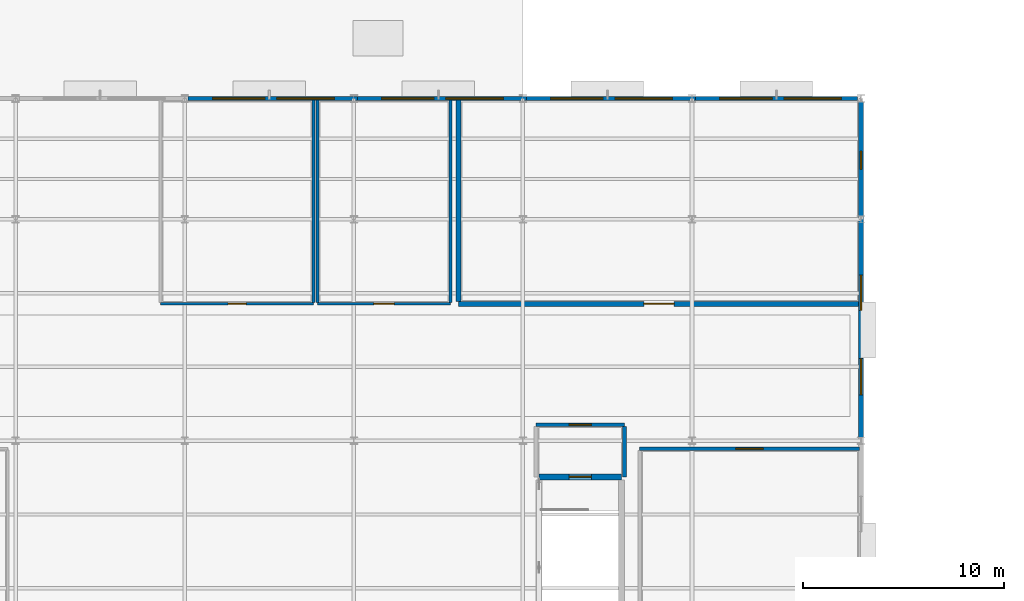
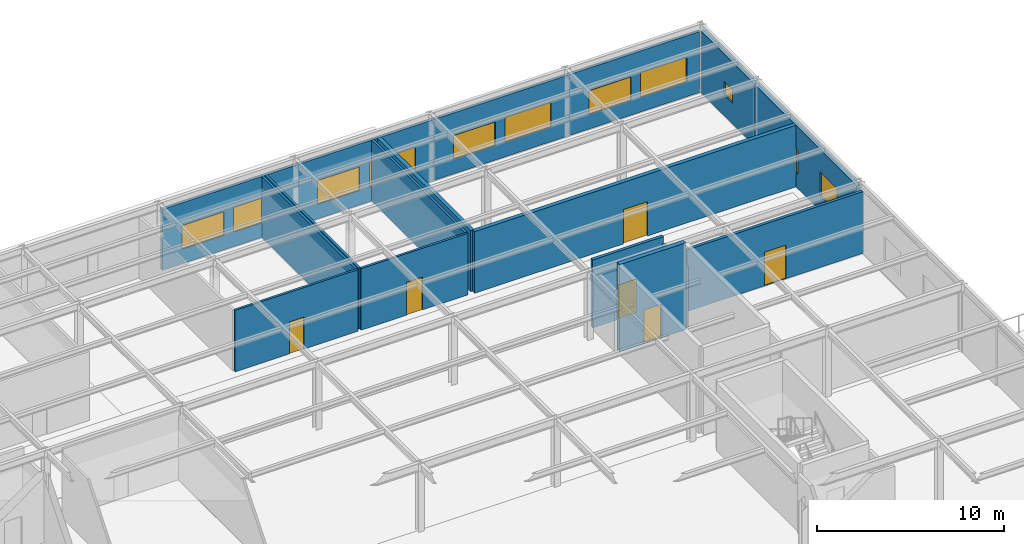
# One storey, part 68 of 82: 17 walls, 11 windows, 6 doors, 17 openings.
"""IFC4 building model written with IfcOpenShell, lengths in metres."""

from ifc_helpers import new_model, si_unit, direction, frame, frame_2d, origin, place, context, subcontext, project, spatial, rectangle, extrude, material, layer, layer_set, type_object, element, fill, save


model = new_model("IFC4")

# Units and contexts
model_context = context("Model", 3, precision=1e-05, world=origin(), true_north=direction((0.0, 1.0)))
body_context = subcontext(model_context, "Body", "Model", "MODEL_VIEW")
ifc_project = project(units=[si_unit("LENGTHUNIT", "METRE"), si_unit("AREAUNIT", "SQUARE_METRE"), si_unit("VOLUMEUNIT", "CUBIC_METRE"), si_unit("PLANEANGLEUNIT", "RADIAN"), si_unit("MASSUNIT", "GRAM", prefix="KILO")], contexts=[model_context])

# Site, building, storey
site_placement = place(None, origin())
site = spatial("IfcSite", under=ifc_project, at=site_placement, CompositionType="ELEMENT")
building_placement = place(site_placement, origin())
building = spatial("IfcBuilding", under=site, at=building_placement, Name="Sitalva Quay Ferry Terminal", CompositionType="ELEMENT")
storey_placement = place(building_placement, frame((0.0, 0.0, 5.39990234375)))
storey = spatial("IfcBuildingStorey", under=building, at=storey_placement, Name="L02", CompositionType="ELEMENT", Elevation=5.39990234375)

# Wall, opening, door
ifc_material_1 = material(Name="Concrete C40/50", Category="concrete")
ifc_layer_1 = layer(ifc_material_1, 0.280029296875)
ifc_layer_set_1 = layer_set([ifc_layer_1], Name="Concrete C40/50")
wall_type_1 = type_object("IfcWallType", Name="Wall_CoreShear_280", PredefinedType="SHEAR", material=ifc_layer_set_1)
wall_1_placement = place(storey_placement, frame((152.0, 87.199951171875, 0.0), z_axis=(0.0, 0.0, 1.0), x_axis=(1.0, 0.0, 0.0)))
wall_1 = element("IfcWall", 1, at=wall_1_placement, inside=storey, type_object=wall_type_1, Name="Core C10 L02 north shear wall", PredefinedType="SHEAR", context=body_context, shape_type="SweptSolid", body=[
    extrude(rectangle(XDim=4.10009765625, YDim=0.280029296875, at=frame_2d((2.050048828125, 0.0))), origin(), (0.0, 0.0, 1.0), 5.7001953125),
])
opening_1_placement = place(wall_1_placement, frame((1.5, 0.0, 0.0)))
opening_1 = element("IfcOpeningElement", 2, at=opening_1_placement, cuts=wall_1, Name="Opening D-L02-038", PredefinedType="OPENING", context=body_context, shape_type="SweptSolid", body=[
    extrude(rectangle(XDim=1.10009765625, YDim=2.199951171875, at=frame_2d((0.550048828125, 1.10009765625))), frame((0.0, 0.14990234375, 0.0), z_axis=(0.0, -1.0, 0.0), x_axis=(1.0, 0.0, 0.0)), (0.0, 0.0, 1.0), 0.300048828125),
])
ifc_material_2 = material(Name="Galvanised Steel Fire Door", Category="steel")
door_type_1 = type_object("IfcDoorType", Name="Door_CoreExit_1100x2200", OperationType="SINGLE_SWING_LEFT", PredefinedType="DOOR", material=ifc_material_2)
door_1_placement = place(opening_1_placement, origin())
door_1 = element("IfcDoor", 3, at=door_1_placement, inside=storey, type_object=door_type_1, Name="DOOR-D-L02-038 Protected stair ST-10 door D-L02-038", OperationType="SINGLE_SWING_RIGHT", OverallHeight=2.199951171875, OverallWidth=1.10009765625, PredefinedType="DOOR", context=body_context, shape_type="SweptSolid", body=[
    extrude(rectangle(XDim=1.10009765625, YDim=2.199951171875, at=frame_2d((0.550048828125, 1.10009765625))), frame((0.0, 0.02490234375, 0.0), z_axis=(0.0, -1.0, 0.0), x_axis=(1.0, 0.0, 0.0)), (0.0, 0.0, 1.0), 0.050048828125),
])
fill(opening_1, door_1)

# Wall, openings, windows
ifc_material_3 = material(Name="Insulated Precast Concrete C40/50", Category="concrete")
ifc_layer_2 = layer(ifc_material_3, 0.239990234375)
ifc_layer_set_2 = layer_set([ifc_layer_2], Name="Insulated Precast Concrete C40/50")
wall_type_2 = type_object("IfcWallType", Name="Wall_ExtClad_240", PredefinedType="ELEMENTEDWALL", material=ifc_layer_set_2)
wall_2_placement = place(storey_placement, frame((168.0, 89.1630859375, 0.0), z_axis=(0.0, 0.0, 1.0), x_axis=(0.0, 1.0, 0.0)))
wall_2 = element("IfcWall", 4, at=wall_2_placement, inside=storey, type_object=wall_type_2, Name="L02 far-east facade EW-L02-175", PredefinedType="ELEMENTEDWALL", context=body_context, shape_type="SweptSolid", body=[
    extrude(rectangle(XDim=11.011962890625, YDim=0.239990234375, at=frame_2d((5.505859375, 0.0))), origin(), (0.0, 0.0, 1.0), 4.031005859375),
])
opening_2_placement = place(wall_2_placement, frame((2.116943359375, 0.0, 0.949951171875)))
opening_2 = element("IfcOpeningElement", 5, at=opening_2_placement, cuts=wall_2, Name="Opening WN-L02-058", PredefinedType="OPENING", context=body_context, shape_type="SweptSolid", body=[
    extrude(rectangle(XDim=1.800048828125, YDim=1.60009765625, at=frame_2d((0.89990234375, 0.800048828125))), frame((0.0, 0.1298828125, 0.0), z_axis=(0.0, -1.0, 0.0), x_axis=(1.0, 0.0, 0.0)), (0.0, 0.0, 1.0), 0.260009765625),
])
opening_3_placement = place(wall_2_placement, frame((6.31689453125, 0.0, 0.949951171875)))
opening_3 = element("IfcOpeningElement", 6, at=opening_3_placement, cuts=wall_2, Name="Opening WN-L02-059", PredefinedType="OPENING", context=body_context, shape_type="SweptSolid", body=[
    extrude(rectangle(XDim=1.75, YDim=1.550048828125, at=frame_2d((0.875, 0.77490234375))), frame((0.0, 0.1298828125, 0.0), z_axis=(0.0, -1.0, 0.0), x_axis=(1.0, 0.0, 0.0)), (0.0, 0.0, 1.0), 0.260009765625),
])
ifc_material_4 = material(Name="Anodised Aluminium & Low-E Glass", Category="aluminium")
window_type_1 = type_object("IfcWindowType", Name="Win_EastOps_1750x1550", PartitioningType="SINGLE_PANEL", PredefinedType="WINDOW", material=ifc_material_4)
window_1_placement = place(opening_3_placement, origin())
window_1 = element("IfcWindow", 7, at=window_1_placement, inside=storey, type_object=window_type_1, Name="L02 east operations window B WN-L02-059", OverallHeight=1.550048828125, OverallWidth=1.75, PartitioningType="SINGLE_PANEL", PredefinedType="WINDOW", context=body_context, shape_type="SweptSolid", body=[
    extrude(rectangle(XDim=1.75, YDim=1.550048828125, at=frame_2d((0.875, 0.77490234375))), frame((0.0, 0.030029296875, 0.0), z_axis=(0.0, -1.0, 0.0), x_axis=(1.0, 0.0, 0.0)), (0.0, 0.0, 1.0), 0.06005859375),
])
fill(opening_3, window_1)
ifc_material_5 = material(Name="Anodised Aluminium & Low-E Glass", Category="aluminium")
window_type_2 = type_object("IfcWindowType", Name="Win_Ribbon_1800x1600", PartitioningType="SINGLE_PANEL", PredefinedType="WINDOW", material=ifc_material_5)
window_2_placement = place(opening_2_placement, origin())
window_2 = element("IfcWindow", 8, at=window_2_placement, inside=storey, type_object=window_type_2, Name="L02 east operations window A WN-L02-058", OverallHeight=1.60009765625, OverallWidth=1.800048828125, PartitioningType="SINGLE_PANEL", PredefinedType="WINDOW", context=body_context, shape_type="SweptSolid", body=[
    extrude(rectangle(XDim=1.800048828125, YDim=1.60009765625, at=frame_2d((0.89990234375, 0.800048828125))), frame((0.0, 0.030029296875, 0.0), z_axis=(0.0, -1.0, 0.0), x_axis=(1.0, 0.0, 0.0)), (0.0, 0.0, 1.0), 0.06005859375),
])
fill(opening_2, window_2)

# Wall, opening, window
wall_3_placement = place(storey_placement, frame((168.0, 100.1630859375, 0.0), z_axis=(0.0, 0.0, 1.0), x_axis=(0.0, 1.0, 0.0)))
wall_3 = element("IfcWall", 9, at=wall_3_placement, inside=storey, type_object=wall_type_2, Name="L02 far-east facade EW-L02-176", PredefinedType="ELEMENTEDWALL", context=body_context, shape_type="SweptSolid", body=[
    extrude(rectangle(XDim=5.673828125, YDim=0.239990234375, at=frame_2d((2.8369140625, 0.0))), origin(), (0.0, 0.0, 1.0), 4.031005859375),
])
opening_4_placement = place(wall_3_placement, frame((2.31689453125, 0.0, 1.35009765625)))
opening_4 = element("IfcOpeningElement", 10, at=opening_4_placement, cuts=wall_3, Name="Opening WN-L02-060", PredefinedType="OPENING", context=body_context, shape_type="SweptSolid", body=[
    extrude(rectangle(XDim=0.89990234375, YDim=0.89990234375, at=frame_2d((0.449951171875, 0.449951171875))), frame((0.0, 0.1298828125, 0.0), z_axis=(0.0, -1.0, 0.0), x_axis=(1.0, 0.0, 0.0)), (0.0, 0.0, 1.0), 0.260009765625),
])
ifc_material_6 = material(Name="Frosted Double Glazing", Category="glass")
window_type_3 = type_object("IfcWindowType", Name="Win_Toilet_900x900", PartitioningType="SINGLE_PANEL", PredefinedType="WINDOW", material=ifc_material_6)
window_3_placement = place(opening_4_placement, origin())
window_3 = element("IfcWindow", 11, at=window_3_placement, inside=storey, type_object=window_type_3, Name="L02 east WC window WN-L02-060", OverallHeight=0.89990234375, OverallWidth=0.89990234375, PartitioningType="SINGLE_PANEL", PredefinedType="WINDOW", context=body_context, shape_type="SweptSolid", body=[
    extrude(rectangle(XDim=0.89990234375, YDim=0.89990234375, at=frame_2d((0.449951171875, 0.449951171875))), frame((0.0, 0.030029296875, 0.0), z_axis=(0.0, -1.0, 0.0), x_axis=(1.0, 0.0, 0.0)), (0.0, 0.0, 1.0), 0.06005859375),
])
fill(opening_4, window_3)

# Wall, openings, windows
ifc_material_7 = material(Name="Architectural Concrete C40/50", Category="concrete")
ifc_layer_3 = layer(ifc_material_7, 0.18994140625)
ifc_layer_set_3 = layer_set([ifc_layer_3], Name="Architectural Concrete C40/50")
wall_type_3 = type_object("IfcWallType", Name="Wall_ExtSpandrel_190", PredefinedType="SOLIDWALL", material=ifc_layer_set_3)
wall_4_placement = place(storey_placement, frame((134.569580078125, 106.0, 0.0), z_axis=(0.0, 0.0, 1.0), x_axis=(1.0, 0.0, 0.0)))
wall_4 = element("IfcWall", 12, at=wall_4_placement, inside=storey, type_object=wall_type_3, Name="L02 north-east horizontal ribbon facade EW-L02-170", PredefinedType="SOLIDWALL", context=body_context, shape_type="SweptSolid", body=[
    extrude(rectangle(XDim=8.411865234375, YDim=0.18994140625, at=frame_2d((4.2060546875, 0.0))), origin(), (0.0, 0.0, 1.0), 3.988037109375),
])
opening_5_placement = place(wall_4_placement, frame((1.21044921875, 0.0, 0.949951171875)))
opening_5 = element("IfcOpeningElement", 13, at=opening_5_placement, cuts=wall_4, Name="Opening WN-L02-048", PredefinedType="OPENING", context=body_context, shape_type="SweptSolid", body=[
    extrude(rectangle(XDim=2.60009765625, YDim=1.550048828125, at=frame_2d((1.300048828125, 0.77490234375))), frame((0.0, 0.10498046875, 0.0), z_axis=(0.0, -1.0, 0.0), x_axis=(1.0, 0.0, 0.0)), (0.0, 0.0, 1.0), 0.2099609375),
])
opening_6_placement = place(wall_4_placement, frame((4.410400390625, 0.0, 0.949951171875)))
opening_6 = element("IfcOpeningElement", 14, at=opening_6_placement, cuts=wall_4, Name="Opening WN-L02-049", PredefinedType="OPENING", context=body_context, shape_type="SweptSolid", body=[
    extrude(rectangle(XDim=2.85009765625, YDim=1.6201171875, at=frame_2d((1.425048828125, 0.81005859375))), frame((0.0, 0.10498046875, 0.0), z_axis=(0.0, -1.0, 0.0), x_axis=(1.0, 0.0, 0.0)), (0.0, 0.0, 1.0), 0.2099609375),
])
ifc_material_8 = material(Name="Anodised Aluminium & Low-E Glass", Category="aluminium")
window_type_4 = type_object("IfcWindowType", Name="Win_Admin_2600x1550", PartitioningType="SINGLE_PANEL", PredefinedType="WINDOW", material=ifc_material_8)
window_4_placement = place(opening_5_placement, origin())
window_4 = element("IfcWindow", 15, at=window_4_placement, inside=storey, type_object=window_type_4, Name="L02 north-east ribbon window A WN-L02-048", OverallHeight=1.550048828125, OverallWidth=2.60009765625, PartitioningType="SINGLE_PANEL", PredefinedType="WINDOW", context=body_context, shape_type="SweptSolid", body=[
    extrude(rectangle(XDim=2.60009765625, YDim=1.550048828125, at=frame_2d((1.300048828125, 0.77490234375))), frame((0.0, 0.030029296875, 0.0), z_axis=(0.0, -1.0, 0.0), x_axis=(1.0, 0.0, 0.0)), (0.0, 0.0, 1.0), 0.06005859375),
])
fill(opening_5, window_4)
ifc_material_9 = material(Name="Anodised Aluminium & Low-E Glass", Category="aluminium")
window_type_5 = type_object("IfcWindowType", Name="Win_RibbonD_2850x1620", PartitioningType="SINGLE_PANEL", PredefinedType="WINDOW", material=ifc_material_9)
window_5_placement = place(opening_6_placement, origin())
window_5 = element("IfcWindow", 16, at=window_5_placement, inside=storey, type_object=window_type_5, Name="L02 north-east ribbon window B WN-L02-049", OverallHeight=1.6201171875, OverallWidth=2.85009765625, PartitioningType="SINGLE_PANEL", PredefinedType="WINDOW", context=body_context, shape_type="SweptSolid", body=[
    extrude(rectangle(XDim=2.85009765625, YDim=1.6201171875, at=frame_2d((1.425048828125, 0.81005859375))), frame((0.0, 0.030029296875, 0.0), z_axis=(0.0, -1.0, 0.0), x_axis=(1.0, 0.0, 0.0)), (0.0, 0.0, 1.0), 0.06005859375),
])
fill(opening_6, window_5)

wall_5_placement = place(storey_placement, frame((142.969482421875, 106.0, 0.0), z_axis=(0.0, 0.0, 1.0), x_axis=(1.0, 0.0, 0.0)))
wall_5 = element("IfcWall", 17, at=wall_5_placement, inside=storey, type_object=wall_type_3, Name="L02 north-east horizontal ribbon facade EW-L02-171", PredefinedType="SOLIDWALL", context=body_context, shape_type="SweptSolid", body=[
    extrude(rectangle(XDim=8.412109375, YDim=0.18994140625, at=frame_2d((4.2060546875, 0.0))), origin(), (0.0, 0.0, 1.0), 3.988037109375),
])
opening_7_placement = place(wall_5_placement, frame((1.21044921875, 0.0, 0.949951171875)))
opening_7 = element("IfcOpeningElement", 18, at=opening_7_placement, cuts=wall_5, Name="Opening WN-L02-050", PredefinedType="OPENING", context=body_context, shape_type="SweptSolid", body=[
    extrude(rectangle(XDim=2.60009765625, YDim=1.550048828125, at=frame_2d((1.300048828125, 0.77490234375))), frame((0.0, 0.10498046875, 0.0), z_axis=(0.0, -1.0, 0.0), x_axis=(1.0, 0.0, 0.0)), (0.0, 0.0, 1.0), 0.2099609375),
])
opening_8_placement = place(wall_5_placement, frame((4.410400390625, 0.0, 0.949951171875)))
opening_8 = element("IfcOpeningElement", 19, at=opening_8_placement, cuts=wall_5, Name="Opening WN-L02-051", PredefinedType="OPENING", context=body_context, shape_type="SweptSolid", body=[
    extrude(rectangle(XDim=2.85009765625, YDim=1.6201171875, at=frame_2d((1.425048828125, 0.81005859375))), frame((0.0, 0.10498046875, 0.0), z_axis=(0.0, -1.0, 0.0), x_axis=(1.0, 0.0, 0.0)), (0.0, 0.0, 1.0), 0.2099609375),
])
window_6_placement = place(opening_7_placement, origin())
window_6 = element("IfcWindow", 20, at=window_6_placement, inside=storey, type_object=window_type_4, Name="L02 north-east ribbon window A WN-L02-050", OverallHeight=1.550048828125, OverallWidth=2.60009765625, PartitioningType="SINGLE_PANEL", PredefinedType="WINDOW", context=body_context, shape_type="SweptSolid", body=[
    extrude(rectangle(XDim=2.60009765625, YDim=1.550048828125, at=frame_2d((1.300048828125, 0.77490234375))), frame((0.0, 0.030029296875, 0.0), z_axis=(0.0, -1.0, 0.0), x_axis=(1.0, 0.0, 0.0)), (0.0, 0.0, 1.0), 0.06005859375),
])
fill(opening_7, window_6)
window_7_placement = place(opening_8_placement, origin())
window_7 = element("IfcWindow", 21, at=window_7_placement, inside=storey, type_object=window_type_5, Name="L02 north-east ribbon window B WN-L02-051", OverallHeight=1.6201171875, OverallWidth=2.85009765625, PartitioningType="SINGLE_PANEL", PredefinedType="WINDOW", context=body_context, shape_type="SweptSolid", body=[
    extrude(rectangle(XDim=2.85009765625, YDim=1.6201171875, at=frame_2d((1.425048828125, 0.81005859375))), frame((0.0, 0.030029296875, 0.0), z_axis=(0.0, -1.0, 0.0), x_axis=(1.0, 0.0, 0.0)), (0.0, 0.0, 1.0), 0.06005859375),
])
fill(opening_8, window_7)

wall_6_placement = place(storey_placement, frame((151.369384765625, 106.0, 0.0), z_axis=(0.0, 0.0, 1.0), x_axis=(1.0, 0.0, 0.0)))
wall_6 = element("IfcWall", 22, at=wall_6_placement, inside=storey, type_object=wall_type_3, Name="L02 north-east horizontal ribbon facade EW-L02-172", PredefinedType="SOLIDWALL", context=body_context, shape_type="SweptSolid", body=[
    extrude(rectangle(XDim=8.412109375, YDim=0.18994140625, at=frame_2d((4.2060546875, 0.0))), origin(), (0.0, 0.0, 1.0), 3.988037109375),
])
opening_9_placement = place(wall_6_placement, frame((1.21044921875, 0.0, 0.949951171875)))
opening_9 = element("IfcOpeningElement", 23, at=opening_9_placement, cuts=wall_6, Name="Opening WN-L02-052", PredefinedType="OPENING", context=body_context, shape_type="SweptSolid", body=[
    extrude(rectangle(XDim=2.60009765625, YDim=1.550048828125, at=frame_2d((1.300048828125, 0.77490234375))), frame((0.0, 0.10498046875, 0.0), z_axis=(0.0, -1.0, 0.0), x_axis=(1.0, 0.0, 0.0)), (0.0, 0.0, 1.0), 0.2099609375),
])
opening_10_placement = place(wall_6_placement, frame((4.410400390625, 0.0, 0.949951171875)))
opening_10 = element("IfcOpeningElement", 24, at=opening_10_placement, cuts=wall_6, Name="Opening WN-L02-053", PredefinedType="OPENING", context=body_context, shape_type="SweptSolid", body=[
    extrude(rectangle(XDim=2.85009765625, YDim=1.6201171875, at=frame_2d((1.425048828125, 0.81005859375))), frame((0.0, 0.10498046875, 0.0), z_axis=(0.0, -1.0, 0.0), x_axis=(1.0, 0.0, 0.0)), (0.0, 0.0, 1.0), 0.2099609375),
])
window_8_placement = place(opening_9_placement, origin())
window_8 = element("IfcWindow", 25, at=window_8_placement, inside=storey, type_object=window_type_4, Name="L02 north-east ribbon window A WN-L02-052", OverallHeight=1.550048828125, OverallWidth=2.60009765625, PartitioningType="SINGLE_PANEL", PredefinedType="WINDOW", context=body_context, shape_type="SweptSolid", body=[
    extrude(rectangle(XDim=2.60009765625, YDim=1.550048828125, at=frame_2d((1.300048828125, 0.77490234375))), frame((0.0, 0.030029296875, 0.0), z_axis=(0.0, -1.0, 0.0), x_axis=(1.0, 0.0, 0.0)), (0.0, 0.0, 1.0), 0.06005859375),
])
fill(opening_9, window_8)
window_9_placement = place(opening_10_placement, origin())
window_9 = element("IfcWindow", 26, at=window_9_placement, inside=storey, type_object=window_type_5, Name="L02 north-east ribbon window B WN-L02-053", OverallHeight=1.6201171875, OverallWidth=2.85009765625, PartitioningType="SINGLE_PANEL", PredefinedType="WINDOW", context=body_context, shape_type="SweptSolid", body=[
    extrude(rectangle(XDim=2.85009765625, YDim=1.6201171875, at=frame_2d((1.425048828125, 0.81005859375))), frame((0.0, 0.030029296875, 0.0), z_axis=(0.0, -1.0, 0.0), x_axis=(1.0, 0.0, 0.0)), (0.0, 0.0, 1.0), 0.06005859375),
])
fill(opening_10, window_9)

wall_7_placement = place(storey_placement, frame((159.76953125, 106.0, 0.0), z_axis=(0.0, 0.0, 1.0), x_axis=(1.0, 0.0, 0.0)))
wall_7 = element("IfcWall", 27, at=wall_7_placement, inside=storey, type_object=wall_type_3, Name="L02 north-east horizontal ribbon facade EW-L02-173", PredefinedType="SOLIDWALL", context=body_context, shape_type="SweptSolid", body=[
    extrude(rectangle(XDim=8.06103515625, YDim=0.18994140625, at=frame_2d((4.030517578125, 0.0))), origin(), (0.0, 0.0, 1.0), 3.988037109375),
])
opening_11_placement = place(wall_7_placement, frame((1.21044921875, 0.0, 0.949951171875)))
opening_11 = element("IfcOpeningElement", 28, at=opening_11_placement, cuts=wall_7, Name="Opening WN-L02-054", PredefinedType="OPENING", context=body_context, shape_type="SweptSolid", body=[
    extrude(rectangle(XDim=2.60009765625, YDim=1.550048828125, at=frame_2d((1.300048828125, 0.77490234375))), frame((0.0, 0.10498046875, 0.0), z_axis=(0.0, -1.0, 0.0), x_axis=(1.0, 0.0, 0.0)), (0.0, 0.0, 1.0), 0.2099609375),
])
opening_12_placement = place(wall_7_placement, frame((4.410400390625, 0.0, 0.949951171875)))
opening_12 = element("IfcOpeningElement", 29, at=opening_12_placement, cuts=wall_7, Name="Opening WN-L02-055", PredefinedType="OPENING", context=body_context, shape_type="SweptSolid", body=[
    extrude(rectangle(XDim=2.85009765625, YDim=1.6201171875, at=frame_2d((1.425048828125, 0.81005859375))), frame((0.0, 0.10498046875, 0.0), z_axis=(0.0, -1.0, 0.0), x_axis=(1.0, 0.0, 0.0)), (0.0, 0.0, 1.0), 0.2099609375),
])
window_10_placement = place(opening_11_placement, origin())
window_10 = element("IfcWindow", 30, at=window_10_placement, inside=storey, type_object=window_type_4, Name="L02 north-east ribbon window A WN-L02-054", OverallHeight=1.550048828125, OverallWidth=2.60009765625, PartitioningType="SINGLE_PANEL", PredefinedType="WINDOW", context=body_context, shape_type="SweptSolid", body=[
    extrude(rectangle(XDim=2.60009765625, YDim=1.550048828125, at=frame_2d((1.300048828125, 0.77490234375))), frame((0.0, 0.030029296875, 0.0), z_axis=(0.0, -1.0, 0.0), x_axis=(1.0, 0.0, 0.0)), (0.0, 0.0, 1.0), 0.06005859375),
])
fill(opening_11, window_10)
window_11_placement = place(opening_12_placement, origin())
window_11 = element("IfcWindow", 31, at=window_11_placement, inside=storey, type_object=window_type_5, Name="L02 north-east ribbon window B WN-L02-055", OverallHeight=1.6201171875, OverallWidth=2.85009765625, PartitioningType="SINGLE_PANEL", PredefinedType="WINDOW", context=body_context, shape_type="SweptSolid", body=[
    extrude(rectangle(XDim=2.85009765625, YDim=1.6201171875, at=frame_2d((1.425048828125, 0.81005859375))), frame((0.0, 0.030029296875, 0.0), z_axis=(0.0, -1.0, 0.0), x_axis=(1.0, 0.0, 0.0)), (0.0, 0.0, 1.0), 0.06005859375),
])
fill(opening_12, window_11)

# Wall, opening, door
ifc_material_10 = material(Name="Fire-Rated Blockwork C25/30", Category="masonry")
ifc_layer_4 = layer(ifc_material_10, 0.179931640625)
ifc_layer_set_4 = layer_set([ifc_layer_4], Name="Fire-Rated Blockwork C25/30")
wall_type_4 = type_object("IfcWallType", Name="Wall_FireLobby_180", PredefinedType="SOLIDWALL", material=ifc_layer_set_4)
wall_8_placement = place(storey_placement, frame((151.85009765625, 89.800048828125, 0.0), z_axis=(0.0, 0.0, 1.0), x_axis=(1.0, 0.0, 0.0)))
wall_8 = element("IfcWall", 32, at=wall_8_placement, inside=storey, type_object=wall_type_4, Name="Firefighting & Lift Lobby C10 N wall IW-L02-0094", PredefinedType="SOLIDWALL", context=body_context, shape_type="SweptSolid", body=[
    extrude(rectangle(XDim=4.39990234375, YDim=0.179931640625, at=frame_2d((2.199951171875, 0.0))), origin(), (0.0, 0.0, 1.0), 4.4501953125),
])
opening_13_placement = place(wall_8_placement, frame((1.64990234375, 0.0, 0.0)))
opening_13 = element("IfcOpeningElement", 33, at=opening_13_placement, cuts=wall_8, Name="Opening ID-L02-032", PredefinedType="OPENING", context=body_context, shape_type="SweptSolid", body=[
    extrude(rectangle(XDim=1.10009765625, YDim=2.199951171875, at=frame_2d((0.550048828125, 1.10009765625))), frame((0.0, 0.099853515625, 0.0), z_axis=(0.0, -1.0, 0.0), x_axis=(1.0, 0.0, 0.0)), (0.0, 0.0, 1.0), 0.199951171875),
])
ifc_material_11 = material(Name="Steel Fire Door", Category="steel")
door_type_2 = type_object("IfcDoorType", Name="Door_FireLobby_1100x2200", OperationType="SINGLE_SWING_LEFT", PredefinedType="DOOR", material=ifc_material_11)
door_2_placement = place(opening_13_placement, origin())
door_2 = element("IfcDoor", 34, at=door_2_placement, inside=storey, type_object=door_type_2, Name="IDOOR-ID-L02-032 Firefighting & Lift Lobby C10 entrance ID-L02-032", OperationType="SINGLE_SWING_RIGHT", OverallHeight=2.199951171875, OverallWidth=1.10009765625, PredefinedType="DOOR", context=body_context, shape_type="SweptSolid", body=[
    extrude(rectangle(XDim=1.10009765625, YDim=2.199951171875, at=frame_2d((0.550048828125, 1.10009765625))), frame((0.0, 0.02490234375, 0.0), z_axis=(0.0, -1.0, 0.0), x_axis=(1.0, 0.0, 0.0)), (0.0, 0.0, 1.0), 0.050048828125),
])
fill(opening_13, door_2)

# Wall
wall_9_placement = place(storey_placement, frame((156.25, 87.199951171875, 0.0), z_axis=(0.0, 0.0, 1.0), x_axis=(0.0, 1.0, 0.0)))
element("IfcWall", 35, at=wall_9_placement, inside=storey, type_object=wall_type_4, Name="Firefighting & Lift Lobby C10 E wall IW-L02-0096", PredefinedType="SOLIDWALL", context=body_context, shape_type="SweptSolid", body=[
    extrude(rectangle(XDim=2.510009765625, YDim=0.179931640625, at=frame_2d((1.2548828125, 0.0))), origin(), (0.0, 0.0, 1.0), 3.989990234375),
])

# Wall, opening, door
wall_10_placement = place(storey_placement, frame((157.0, 88.60009765625, 0.0), z_axis=(0.0, 0.0, 1.0), x_axis=(1.0, 0.0, 0.0)))
wall_10 = element("IfcWall", 36, at=wall_10_placement, inside=storey, type_object=wall_type_4, Name="Deck Maintenance & Spill Response Store N wall IW-L02-0259", PredefinedType="SOLIDWALL", context=body_context, shape_type="SweptSolid", body=[
    extrude(rectangle(XDim=10.919921875, YDim=0.179931640625, at=frame_2d((5.4599609375, 0.0))), origin(), (0.0, 0.0, 1.0), 4.033203125),
])
opening_14_placement = place(wall_10_placement, frame((4.784912109375, 0.0, 0.0)))
opening_14 = element("IfcOpeningElement", 37, at=opening_14_placement, cuts=wall_10, Name="Opening ID-L02-091", PredefinedType="OPENING", context=body_context, shape_type="SweptSolid", body=[
    extrude(rectangle(XDim=1.35009765625, YDim=2.199951171875, at=frame_2d((0.675048828125, 1.10009765625))), frame((0.0, 0.099853515625, 0.0), z_axis=(0.0, -1.0, 0.0), x_axis=(1.0, 0.0, 0.0)), (0.0, 0.0, 1.0), 0.199951171875),
])
ifc_material_12 = material(Name="Galvanised Steel Store Door", Category="steel")
door_type_3 = type_object("IfcDoorType", Name="Door_DeckStore_1350x2200", OperationType="DOUBLE_DOOR_SINGLE_SWING", PredefinedType="DOOR", material=ifc_material_12)
door_3_placement = place(opening_14_placement, origin())
door_3 = element("IfcDoor", 38, at=door_3_placement, inside=storey, type_object=door_type_3, Name="IDOOR-ID-L02-091 Deck Maintenance & Spill Response Store entrance ID-L02-091", OperationType="DOUBLE_DOOR_SINGLE_SWING", OverallHeight=2.199951171875, OverallWidth=1.35009765625, PredefinedType="DOOR", context=body_context, shape_type="SweptSolid", body=[
    extrude(rectangle(XDim=1.35009765625, YDim=2.199951171875, at=frame_2d((0.675048828125, 1.10009765625))), frame((0.0, 0.02490234375, 0.0), z_axis=(0.0, -1.0, 0.0), x_axis=(1.0, 0.0, 0.0)), (0.0, 0.0, 1.0), 0.050048828125),
])
fill(opening_14, door_3)

ifc_material_13 = material(Name="High-Density Concrete C35/45", Category="concrete")
ifc_layer_5 = layer(ifc_material_13, 0.239990234375)
ifc_layer_set_5 = layer_set([ifc_layer_5], Name="High-Density Concrete C35/45")
wall_type_5 = type_object("IfcWallType", Name="Wall_PlantAcoustic_240", PredefinedType="SOLIDWALL", material=ifc_layer_set_5)
wall_11_placement = place(storey_placement, frame((148.0, 95.800048828125, 0.0), z_axis=(0.0, 0.0, 1.0), x_axis=(1.0, 0.0, 0.0)))
wall_11 = element("IfcWall", 39, at=wall_11_placement, inside=storey, type_object=wall_type_5, Name="East Concourse AHU & Heat-Recovery Plant S wall IW-L02-0256", PredefinedType="SOLIDWALL", context=body_context, shape_type="SweptSolid", body=[
    extrude(rectangle(XDim=19.919921875, YDim=0.239990234375, at=frame_2d((9.9599609375, 0.0))), origin(), (0.0, 0.0, 1.0), 4.033203125),
])
opening_15_placement = place(wall_11_placement, frame((9.2099609375, 0.0, 0.0)))
opening_15 = element("IfcOpeningElement", 40, at=opening_15_placement, cuts=wall_11, Name="Opening ID-L02-090", PredefinedType="OPENING", context=body_context, shape_type="SweptSolid", body=[
    extrude(rectangle(XDim=1.5, YDim=2.25, at=frame_2d((0.75, 1.125))), frame((0.0, 0.1298828125, 0.0), z_axis=(0.0, -1.0, 0.0), x_axis=(1.0, 0.0, 0.0)), (0.0, 0.0, 1.0), 0.260009765625),
])
ifc_material_14 = material(Name="Acoustic Steel Plant Door", Category="steel")
door_type_4 = type_object("IfcDoorType", Name="Door_PlantInt_1500x2250", OperationType="DOUBLE_DOOR_SINGLE_SWING", PredefinedType="DOOR", material=ifc_material_14)
door_4_placement = place(opening_15_placement, origin())
door_4 = element("IfcDoor", 41, at=door_4_placement, inside=storey, type_object=door_type_4, Name="IDOOR-ID-L02-090 East Concourse AHU & Heat-Recovery Plant entrance ID-L02-090", OperationType="DOUBLE_DOOR_SINGLE_SWING", OverallHeight=2.25, OverallWidth=1.5, PredefinedType="DOOR", context=body_context, shape_type="SweptSolid", body=[
    extrude(rectangle(XDim=1.5, YDim=2.25, at=frame_2d((0.75, 1.125))), frame((0.0, 0.02490234375, 0.0), z_axis=(0.0, -1.0, 0.0), x_axis=(1.0, 0.0, 0.0)), (0.0, 0.0, 1.0), 0.050048828125),
])
fill(opening_15, door_4)

# Wall
wall_12_placement = place(storey_placement, frame((148.0, 95.919921875, 0.0), z_axis=(0.0, 0.0, 1.0), x_axis=(0.0, 1.0, 0.0)))
element("IfcWall", 42, at=wall_12_placement, inside=storey, type_object=wall_type_5, Name="East Concourse AHU & Heat-Recovery Plant W wall IW-L02-0257", PredefinedType="SOLIDWALL", context=body_context, shape_type="SweptSolid", body=[
    extrude(rectangle(XDim=10.0, YDim=0.239990234375, at=frame_2d((5.0, 0.0))), origin(), (0.0, 0.0, 1.0), 3.989990234375),
])

# Wall, opening, door
ifc_material_15 = material(Name="Moisture-Resistant Cement Board Partition", Category="gypsum")
ifc_layer_6 = layer(ifc_material_15, 0.139892578125)
ifc_layer_set_6 = layer_set([ifc_layer_6], Name="Moisture-Resistant Cement Board Partition")
wall_type_6 = type_object("IfcWallType", Name="Wall_WetRoom_140", PredefinedType="PARTITIONING", material=ifc_layer_set_6)
wall_13_placement = place(storey_placement, frame((133.199951171875, 95.800048828125, 0.0), z_axis=(0.0, 0.0, 1.0), x_axis=(1.0, 0.0, 0.0)))
wall_13 = element("IfcWall", 43, at=wall_13_placement, inside=storey, type_object=wall_type_6, Name="L02 East Female Toilets S wall IW-L02-0250", PredefinedType="PARTITIONING", context=body_context, shape_type="SweptSolid", body=[
    extrude(rectangle(XDim=7.60009765625, YDim=0.139892578125, at=frame_2d((3.800048828125, 0.0))), origin(), (0.0, 0.0, 1.0), 4.033203125),
])
opening_16_placement = place(wall_13_placement, frame((3.35009765625, 0.0, 0.0)))
opening_16 = element("IfcOpeningElement", 44, at=opening_16_placement, cuts=wall_13, Name="Opening ID-L02-088", PredefinedType="OPENING", context=body_context, shape_type="SweptSolid", body=[
    extrude(rectangle(XDim=0.89990234375, YDim=2.10009765625, at=frame_2d((0.449951171875, 1.050048828125))), frame((0.0, 0.079833984375, 0.0), z_axis=(0.0, -1.0, 0.0), x_axis=(1.0, 0.0, 0.0)), (0.0, 0.0, 1.0), 0.159912109375),
])
ifc_material_16 = material(Name="High-Pressure Laminate Door", Category="wood")
door_type_5 = type_object("IfcDoorType", Name="Door_WC_900x2100", OperationType="SINGLE_SWING_LEFT", PredefinedType="DOOR", material=ifc_material_16)
door_5_placement = place(opening_16_placement, origin())
door_5 = element("IfcDoor", 45, at=door_5_placement, inside=storey, type_object=door_type_5, Name="IDOOR-ID-L02-088 L02 East Female Toilets entrance ID-L02-088", OperationType="SINGLE_SWING_RIGHT", OverallHeight=2.10009765625, OverallWidth=0.89990234375, PredefinedType="DOOR", context=body_context, shape_type="SweptSolid", body=[
    extrude(rectangle(XDim=0.89990234375, YDim=2.10009765625, at=frame_2d((0.449951171875, 1.050048828125))), frame((0.0, 0.02490234375, 0.0), z_axis=(0.0, -1.0, 0.0), x_axis=(1.0, 0.0, 0.0)), (0.0, 0.0, 1.0), 0.050048828125),
])
fill(opening_16, door_5)

# Wall
wall_14_placement = place(storey_placement, frame((140.800048828125, 95.8701171875, 0.0), z_axis=(0.0, 0.0, 1.0), x_axis=(0.0, 1.0, 0.0)))
element("IfcWall", 46, at=wall_14_placement, inside=storey, type_object=wall_type_6, Name="L02 East Female Toilets E wall IW-L02-0252", PredefinedType="PARTITIONING", context=body_context, shape_type="SweptSolid", body=[
    extrude(rectangle(XDim=10.0498046875, YDim=0.139892578125, at=frame_2d((5.02490234375, 0.0))), origin(), (0.0, 0.0, 1.0), 3.989990234375),
])

# Wall, opening, door
wall_15_placement = place(storey_placement, frame((141.0, 95.800048828125, 0.0), z_axis=(0.0, 0.0, 1.0), x_axis=(1.0, 0.0, 0.0)))
wall_15 = element("IfcWall", 47, at=wall_15_placement, inside=storey, type_object=wall_type_6, Name="L02 East Accessible WC S wall IW-L02-0253", PredefinedType="PARTITIONING", context=body_context, shape_type="SweptSolid", body=[
    extrude(rectangle(XDim=6.60009765625, YDim=0.139892578125, at=frame_2d((3.300048828125, 0.0))), origin(), (0.0, 0.0, 1.0), 4.033203125),
])
opening_17_placement = place(wall_15_placement, frame((2.800048828125, 0.0, 0.0)))
opening_17 = element("IfcOpeningElement", 48, at=opening_17_placement, cuts=wall_15, Name="Opening ID-L02-089", PredefinedType="OPENING", context=body_context, shape_type="SweptSolid", body=[
    extrude(rectangle(XDim=1.0, YDim=2.14990234375, at=frame_2d((0.5, 1.074951171875))), frame((0.0, 0.079833984375, 0.0), z_axis=(0.0, -1.0, 0.0), x_axis=(1.0, 0.0, 0.0)), (0.0, 0.0, 1.0), 0.159912109375),
])
ifc_material_17 = material(Name="High-Pressure Laminate Accessible Door", Category="wood")
door_type_6 = type_object("IfcDoorType", Name="Door_AccWC_1000x2150", OperationType="SINGLE_SWING_RIGHT", PredefinedType="DOOR", material=ifc_material_17)
door_6_placement = place(opening_17_placement, origin())
door_6 = element("IfcDoor", 49, at=door_6_placement, inside=storey, type_object=door_type_6, Name="IDOOR-ID-L02-089 L02 East Accessible WC entrance ID-L02-089", OperationType="SINGLE_SWING_LEFT", OverallHeight=2.14990234375, OverallWidth=1.0, PredefinedType="DOOR", context=body_context, shape_type="SweptSolid", body=[
    extrude(rectangle(XDim=1.0, YDim=2.14990234375, at=frame_2d((0.5, 1.074951171875))), frame((0.0, 0.02490234375, 0.0), z_axis=(0.0, -1.0, 0.0), x_axis=(1.0, 0.0, 0.0)), (0.0, 0.0, 1.0), 0.050048828125),
])
fill(opening_17, door_6)

# Walls
for number, where, z_axis, x_axis, name in (
    (50, (141.0, 95.8701171875, 0.0), (0.0, 0.0, 1.0), (0.0, 1.0, 0.0), "L02 East Accessible WC W wall IW-L02-0254"),
    (51, (147.60009765625, 95.8701171875, 0.0), (0.0, 0.0, 1.0), (0.0, 1.0, 0.0), "L02 East Accessible WC E wall IW-L02-0255"),
):
    element("IfcWall", number, at=place(storey_placement, frame(where, z_axis=z_axis, x_axis=x_axis)), inside=storey, type_object=wall_type_6, Name=name, PredefinedType="PARTITIONING", context=body_context, shape_type="SweptSolid", body=[
        extrude(rectangle(XDim=10.0498046875, YDim=0.139892578125, at=frame_2d((5.02490234375, 0.0))), origin(), (0.0, 0.0, 1.0), 3.989990234375),
    ])

save(model, "model.ifc")
